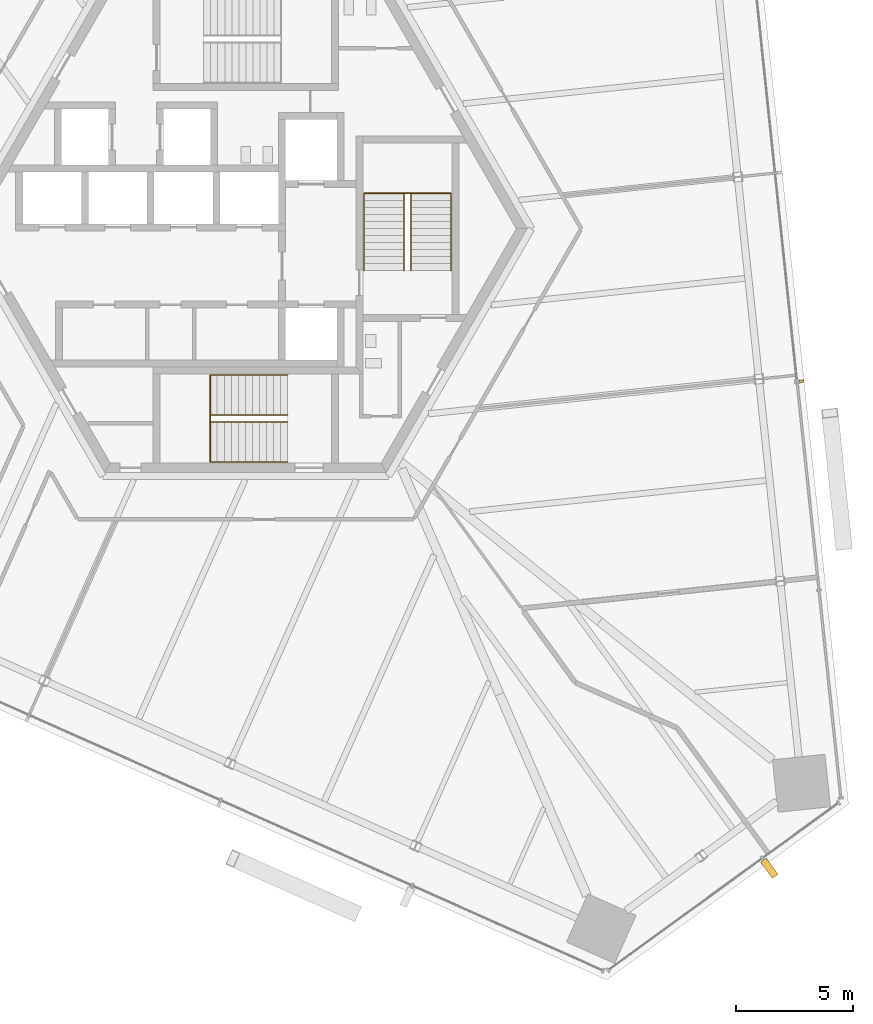
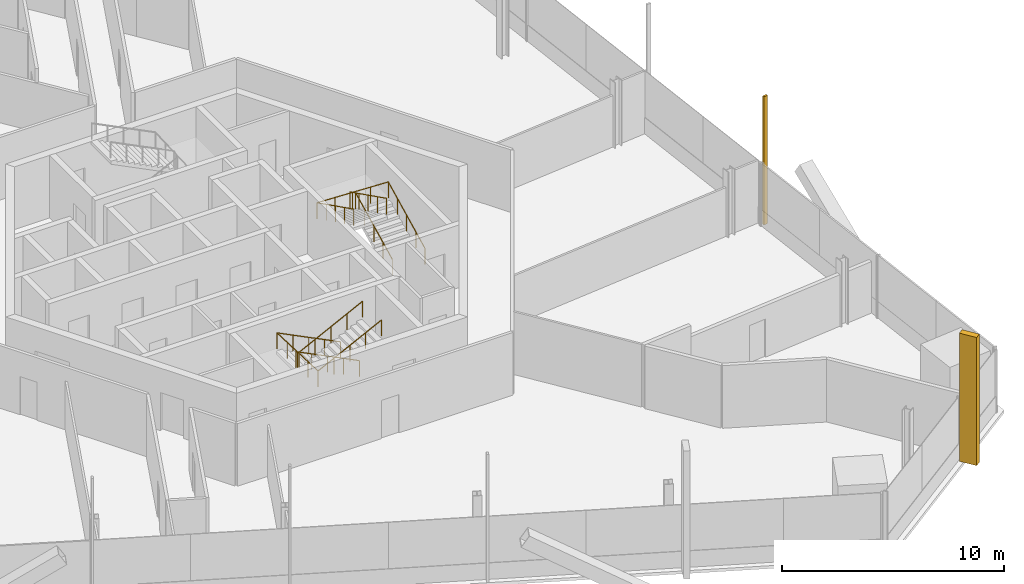
# One storey, part 16 of 21: 4 railings, 2 shading devices.
"""IFC4 building model written with IfcOpenShell, lengths in metres."""

from ifc_helpers import new_model, si_unit, direction, frame, origin, origin_2d, place, context, subcontext, project, spatial, rectangle, circle, extrude, source, transform, mapped, material, type_object, element, save


model = new_model("IFC4")

# Units and contexts
model_context = context("Model", 3, precision=1e-05, world=origin(), true_north=direction((0.0, 1.0)))
body_context = subcontext(model_context, "Body", "Model", "MODEL_VIEW")
ifc_project = project(units=[si_unit("LENGTHUNIT", "METRE"), si_unit("AREAUNIT", "SQUARE_METRE"), si_unit("VOLUMEUNIT", "CUBIC_METRE"), si_unit("PLANEANGLEUNIT", "RADIAN"), si_unit("MASSUNIT", "GRAM", prefix="KILO")], contexts=[model_context])

# Site, building, storey
site_placement = place(None, origin())
site = spatial("IfcSite", under=ifc_project, at=site_placement, CompositionType="ELEMENT")
building_placement = place(site_placement, origin())
building = spatial("IfcBuilding", under=site, at=building_placement, Name="Triune Harvest Tower", CompositionType="ELEMENT")
storey_placement = place(building_placement, frame((0.0, 0.0, 65.699951171875)))
storey = spatial("IfcBuildingStorey", under=building, at=storey_placement, Name="L15", CompositionType="ELEMENT", Elevation=65.699951171875)

# Railings
ifc_material_1 = material(Name="Stainless steel AISI 316", Category="steel")
railing_type = type_object("IfcRailingType", Name="Stair handrail", PredefinedType="HANDRAIL", material=ifc_material_1)
shared_shape_1 = source(origin(), body_context, "Body", "SweptSolid", [
    extrude(circle(Radius=0.02392578125, at=origin_2d()), frame((0.0, 0.0, 0.8759765625), z_axis=(-0.894440424912, 0.0, 0.447187126696), x_axis=(0.0, -1.0, 0.0)), (0.0, 0.0, 1.0), 3.689453125),
    extrude(circle(Radius=0.02392578125, at=origin_2d()), frame((-3.300048828125, 0.0, 2.52587890625), z_axis=(0.0, -0.999180289278, 0.040481471304), x_axis=(1.0, 0.0, 0.0)), (0.0, 0.0, 1.0), 3.702880859375),
    extrude(circle(Radius=0.02392578125, at=origin_2d()), frame((-3.300048828125, -3.699951171875, 2.67578125), z_axis=(0.894413956696, 0.0, 0.447240063129), x_axis=(0.0, 1.0, 0.0)), (0.0, 0.0, 1.0), 3.689697265625),
    extrude(circle(Radius=0.02099609375, at=origin_2d()), origin(), (0.0, 0.0, 1.0), 0.851806640625),
    extrude(circle(Radius=0.02099609375, at=origin_2d()), frame((-0.824951171875, 0.0, 0.41259765625)), (0.0, 0.0, 1.0), 0.851806640625),
    extrude(circle(Radius=0.02099609375, at=origin_2d()), frame((-1.64990234375, 0.0, 0.824951171875)), (0.0, 0.0, 1.0), 0.851806640625),
    extrude(circle(Radius=0.02099609375, at=origin_2d()), frame((-2.47509765625, 0.0, 1.2373046875)), (0.0, 0.0, 1.0), 0.851806640625),
    extrude(circle(Radius=0.02099609375, at=origin_2d()), frame((-3.300048828125, 0.0, 1.64990234375)), (0.0, 0.0, 1.0), 0.851806640625),
    extrude(circle(Radius=0.02099609375, at=origin_2d()), frame((-3.300048828125, -0.925048828125, 1.6875)), (0.0, 0.0, 1.0), 0.851806640625),
    extrude(circle(Radius=0.02099609375, at=origin_2d()), frame((-3.300048828125, -1.85009765625, 1.724853515625)), (0.0, 0.0, 1.0), 0.851806640625),
    extrude(circle(Radius=0.02099609375, at=origin_2d()), frame((-3.300048828125, -2.77490234375, 1.76220703125)), (0.0, 0.0, 1.0), 0.851806640625),
    extrude(circle(Radius=0.02099609375, at=origin_2d()), frame((-3.300048828125, -3.699951171875, 1.7998046875)), (0.0, 0.0, 1.0), 0.851806640625),
    extrude(circle(Radius=0.02099609375, at=origin_2d()), frame((-2.47509765625, -3.699951171875, 2.21240234375)), (0.0, 0.0, 1.0), 0.851806640625),
    extrude(circle(Radius=0.02099609375, at=origin_2d()), frame((-1.64990234375, -3.699951171875, 2.625)), (0.0, 0.0, 1.0), 0.851806640625),
    extrude(circle(Radius=0.02099609375, at=origin_2d()), frame((-0.824951171875, -3.699951171875, 3.037353515625)), (0.0, 0.0, 1.0), 0.851806640625),
    extrude(circle(Radius=0.02099609375, at=origin_2d()), frame((0.0, -3.699951171875, 3.449951171875)), (0.0, 0.0, 1.0), 0.851806640625),
])
railing_1_placement = place(storey_placement, frame((1.7900390625, -6.239990234375, 0.150146484375)))
element("IfcRailing", 1, at=railing_1_placement, inside=storey, type_object=railing_type, Name="Exit stair south wall handrail", PredefinedType="HANDRAIL", context=body_context, shape_type="MappedRepresentation", body=[
    mapped(shared_shape_1, transform((0.0, 0.0, 0.0), scale=1.0)),
])
shared_shape_2 = source(origin(), body_context, "Body", "SweptSolid", [
    extrude(circle(Radius=0.02392578125, at=origin_2d()), frame((0.0, 0.0, 0.8759765625), z_axis=(-0.894440424912, 0.0, 0.447187126696), x_axis=(0.0, -1.0, 0.0)), (0.0, 0.0, 1.0), 3.689453125),
    extrude(circle(Radius=0.02392578125, at=origin_2d()), frame((-3.300048828125, 0.0, 2.52587890625), z_axis=(0.0, -0.894572720946, 0.446922417137), x_axis=(1.0, 0.0, 0.0)), (0.0, 0.0, 1.0), 0.33544921875),
    extrude(circle(Radius=0.02392578125, at=origin_2d()), frame((-3.300048828125, -0.300048828125, 2.67578125), z_axis=(0.894413956696, 0.0, 0.447240063129), x_axis=(0.0, 1.0, 0.0)), (0.0, 0.0, 1.0), 3.689697265625),
    extrude(circle(Radius=0.02099609375, at=origin_2d()), origin(), (0.0, 0.0, 1.0), 0.851806640625),
    extrude(circle(Radius=0.02099609375, at=origin_2d()), frame((-0.824951171875, 0.0, 0.41259765625)), (0.0, 0.0, 1.0), 0.851806640625),
    extrude(circle(Radius=0.02099609375, at=origin_2d()), frame((-1.64990234375, 0.0, 0.824951171875)), (0.0, 0.0, 1.0), 0.851806640625),
    extrude(circle(Radius=0.02099609375, at=origin_2d()), frame((-2.47509765625, 0.0, 1.2373046875)), (0.0, 0.0, 1.0), 0.851806640625),
    extrude(circle(Radius=0.02099609375, at=origin_2d()), frame((-3.300048828125, 0.0, 1.64990234375)), (0.0, 0.0, 1.0), 0.851806640625),
    extrude(circle(Radius=0.02099609375, at=origin_2d()), frame((-3.300048828125, -0.300048828125, 1.7998046875)), (0.0, 0.0, 1.0), 0.851806640625),
    extrude(circle(Radius=0.02099609375, at=origin_2d()), frame((-2.47509765625, -0.300048828125, 2.21240234375)), (0.0, 0.0, 1.0), 0.851806640625),
    extrude(circle(Radius=0.02099609375, at=origin_2d()), frame((-1.64990234375, -0.300048828125, 2.625)), (0.0, 0.0, 1.0), 0.851806640625),
    extrude(circle(Radius=0.02099609375, at=origin_2d()), frame((-0.824951171875, -0.300048828125, 3.037353515625)), (0.0, 0.0, 1.0), 0.851806640625),
    extrude(circle(Radius=0.02099609375, at=origin_2d()), frame((0.0, -0.300048828125, 3.449951171875)), (0.0, 0.0, 1.0), 0.851806640625),
])
railing_2_placement = place(storey_placement, frame((1.7900390625, -7.93994140625, 0.150146484375)))
element("IfcRailing", 2, at=railing_2_placement, inside=storey, type_object=railing_type, Name="Exit stair south centre handrail", PredefinedType="HANDRAIL", context=body_context, shape_type="MappedRepresentation", body=[
    mapped(shared_shape_2, transform((0.0, 0.0, 0.0), scale=1.0)),
])
shared_shape_3 = source(origin(), body_context, "Body", "SweptSolid", [
    extrude(circle(Radius=0.02392578125, at=origin_2d()), frame((0.0, 0.0, 0.8759765625), z_axis=(0.0, 0.894440424912, 0.447187126696), x_axis=(-1.0, 0.0, 0.0)), (0.0, 0.0, 1.0), 3.689453125),
    extrude(circle(Radius=0.02392578125, at=origin_2d()), frame((0.0, 3.300048828125, 2.52587890625), z_axis=(-0.999180289278, 0.0, 0.040481471304), x_axis=(0.0, -1.0, 0.0)), (0.0, 0.0, 1.0), 3.702880859375),
    extrude(circle(Radius=0.02392578125, at=origin_2d()), frame((-3.699951171875, 3.300048828125, 2.67578125), z_axis=(0.0, -0.894413956696, 0.447240063129), x_axis=(1.0, 0.0, 0.0)), (0.0, 0.0, 1.0), 3.689697265625),
    extrude(circle(Radius=0.02099609375, at=origin_2d()), origin(), (0.0, 0.0, 1.0), 0.851806640625),
    extrude(circle(Radius=0.02099609375, at=origin_2d()), frame((0.0, 0.824951171875, 0.41259765625)), (0.0, 0.0, 1.0), 0.851806640625),
    extrude(circle(Radius=0.02099609375, at=origin_2d()), frame((0.0, 1.64990234375, 0.824951171875)), (0.0, 0.0, 1.0), 0.851806640625),
    extrude(circle(Radius=0.02099609375, at=origin_2d()), frame((0.0, 2.47509765625, 1.2373046875)), (0.0, 0.0, 1.0), 0.851806640625),
    extrude(circle(Radius=0.02099609375, at=origin_2d()), frame((0.0, 3.300048828125, 1.64990234375)), (0.0, 0.0, 1.0), 0.851806640625),
    extrude(circle(Radius=0.02099609375, at=origin_2d()), frame((-0.925048828125, 3.300048828125, 1.6875)), (0.0, 0.0, 1.0), 0.851806640625),
    extrude(circle(Radius=0.02099609375, at=origin_2d()), frame((-1.85009765625, 3.300048828125, 1.724853515625)), (0.0, 0.0, 1.0), 0.851806640625),
    extrude(circle(Radius=0.02099609375, at=origin_2d()), frame((-2.77490234375, 3.300048828125, 1.76220703125)), (0.0, 0.0, 1.0), 0.851806640625),
    extrude(circle(Radius=0.02099609375, at=origin_2d()), frame((-3.699951171875, 3.300048828125, 1.7998046875)), (0.0, 0.0, 1.0), 0.851806640625),
    extrude(circle(Radius=0.02099609375, at=origin_2d()), frame((-3.699951171875, 2.47509765625, 2.21240234375)), (0.0, 0.0, 1.0), 0.851806640625),
    extrude(circle(Radius=0.02099609375, at=origin_2d()), frame((-3.699951171875, 1.64990234375, 2.625)), (0.0, 0.0, 1.0), 0.851806640625),
    extrude(circle(Radius=0.02099609375, at=origin_2d()), frame((-3.699951171875, 0.824951171875, 3.037353515625)), (0.0, 0.0, 1.0), 0.851806640625),
    extrude(circle(Radius=0.02099609375, at=origin_2d()), frame((-3.699951171875, 0.0, 3.449951171875)), (0.0, 0.0, 1.0), 0.851806640625),
])
railing_3_placement = place(storey_placement, frame((8.75, -1.7900390625, 0.150146484375)))
element("IfcRailing", 3, at=railing_3_placement, inside=storey, type_object=railing_type, Name="Exit stair east wall handrail", PredefinedType="HANDRAIL", context=body_context, shape_type="MappedRepresentation", body=[
    mapped(shared_shape_3, transform((0.0, 0.0, 0.0), scale=1.0)),
])
shared_shape_4 = source(origin(), body_context, "Body", "SweptSolid", [
    extrude(circle(Radius=0.02392578125, at=origin_2d()), frame((0.0, 0.0, 0.8759765625), z_axis=(0.0, 0.894440424912, 0.447187126696), x_axis=(-1.0, 0.0, 0.0)), (0.0, 0.0, 1.0), 3.689453125),
    extrude(circle(Radius=0.02392578125, at=origin_2d()), frame((0.0, 3.300048828125, 2.52587890625), z_axis=(-0.894572720946, 0.0, 0.446922417137), x_axis=(0.0, -1.0, 0.0)), (0.0, 0.0, 1.0), 0.33544921875),
    extrude(circle(Radius=0.02392578125, at=origin_2d()), frame((-0.300048828125, 3.300048828125, 2.67578125), z_axis=(0.0, -0.894413956696, 0.447240063129), x_axis=(1.0, 0.0, 0.0)), (0.0, 0.0, 1.0), 3.689697265625),
    extrude(circle(Radius=0.02099609375, at=origin_2d()), origin(), (0.0, 0.0, 1.0), 0.851806640625),
    extrude(circle(Radius=0.02099609375, at=origin_2d()), frame((0.0, 0.824951171875, 0.41259765625)), (0.0, 0.0, 1.0), 0.851806640625),
    extrude(circle(Radius=0.02099609375, at=origin_2d()), frame((0.0, 1.64990234375, 0.824951171875)), (0.0, 0.0, 1.0), 0.851806640625),
    extrude(circle(Radius=0.02099609375, at=origin_2d()), frame((0.0, 2.47509765625, 1.2373046875)), (0.0, 0.0, 1.0), 0.851806640625),
    extrude(circle(Radius=0.02099609375, at=origin_2d()), frame((0.0, 3.300048828125, 1.64990234375)), (0.0, 0.0, 1.0), 0.851806640625),
    extrude(circle(Radius=0.02099609375, at=origin_2d()), frame((-0.300048828125, 3.300048828125, 1.7998046875)), (0.0, 0.0, 1.0), 0.851806640625),
    extrude(circle(Radius=0.02099609375, at=origin_2d()), frame((-0.300048828125, 2.47509765625, 2.21240234375)), (0.0, 0.0, 1.0), 0.851806640625),
    extrude(circle(Radius=0.02099609375, at=origin_2d()), frame((-0.300048828125, 1.64990234375, 2.625)), (0.0, 0.0, 1.0), 0.851806640625),
    extrude(circle(Radius=0.02099609375, at=origin_2d()), frame((-0.300048828125, 0.824951171875, 3.037353515625)), (0.0, 0.0, 1.0), 0.851806640625),
    extrude(circle(Radius=0.02099609375, at=origin_2d()), frame((-0.300048828125, 0.0, 3.449951171875)), (0.0, 0.0, 1.0), 0.851806640625),
])
railing_4_placement = place(storey_placement, frame((7.050048828125, -1.7900390625, 0.150146484375)))
element("IfcRailing", 4, at=railing_4_placement, inside=storey, type_object=railing_type, Name="Exit stair east centre handrail", PredefinedType="HANDRAIL", context=body_context, shape_type="MappedRepresentation", body=[
    mapped(shared_shape_4, transform((0.0, 0.0, 0.0), scale=1.0)),
])

# Shading devices
ifc_material_2 = material(Name="Aluminium bronze anodised", Category="aluminium")
shared_shape_5 = source(origin(), body_context, "Body", "SweptSolid", [
    extrude(rectangle(XDim=0.10009765625, YDim=0.199951171875, at=origin_2d()), origin(), (0.0, 0.0, 1.0), 7.0400390625),
])
shading_device_1_placement = place(storey_placement, frame((23.706787109375, -6.498779296875, 0.0), z_axis=(0.0, 0.0, 1.0), x_axis=(-0.104527536558, 0.994521992769, 0.0)))
element("IfcShadingDevice", 5, at=shading_device_1_placement, inside=storey, material=ifc_material_2, Name="FN-1 fin B2-F1.5 L15", ObjectType="FIN", PredefinedType="USERDEFINED", context=body_context, shape_type="MappedRepresentation", body=[
    mapped(shared_shape_5, transform((0.0, 0.0, 0.0), scale=1.0)),
])
shared_shape_6 = source(origin(), body_context, "Body", "SweptSolid", [
    extrude(rectangle(XDim=0.300048828125, YDim=0.85009765625, at=origin_2d()), origin(), (0.0, 0.0, 1.0), 7.0400390625),
])
shading_device_2_placement = place(storey_placement, frame((22.326904296875, -27.265380859375, 0.0), z_axis=(0.0, 0.0, 1.0), x_axis=(0.809013235692, 0.58779042564, 0.0)))
element("IfcShadingDevice", 6, at=shading_device_2_placement, inside=storey, material=ifc_material_2, Name="FN-2 fin B2-F6.3 L15", ObjectType="FIN", PredefinedType="USERDEFINED", context=body_context, shape_type="MappedRepresentation", body=[
    mapped(shared_shape_6, transform((0.0, 0.0, 0.0), scale=1.0)),
])

save(model, "model.ifc")
